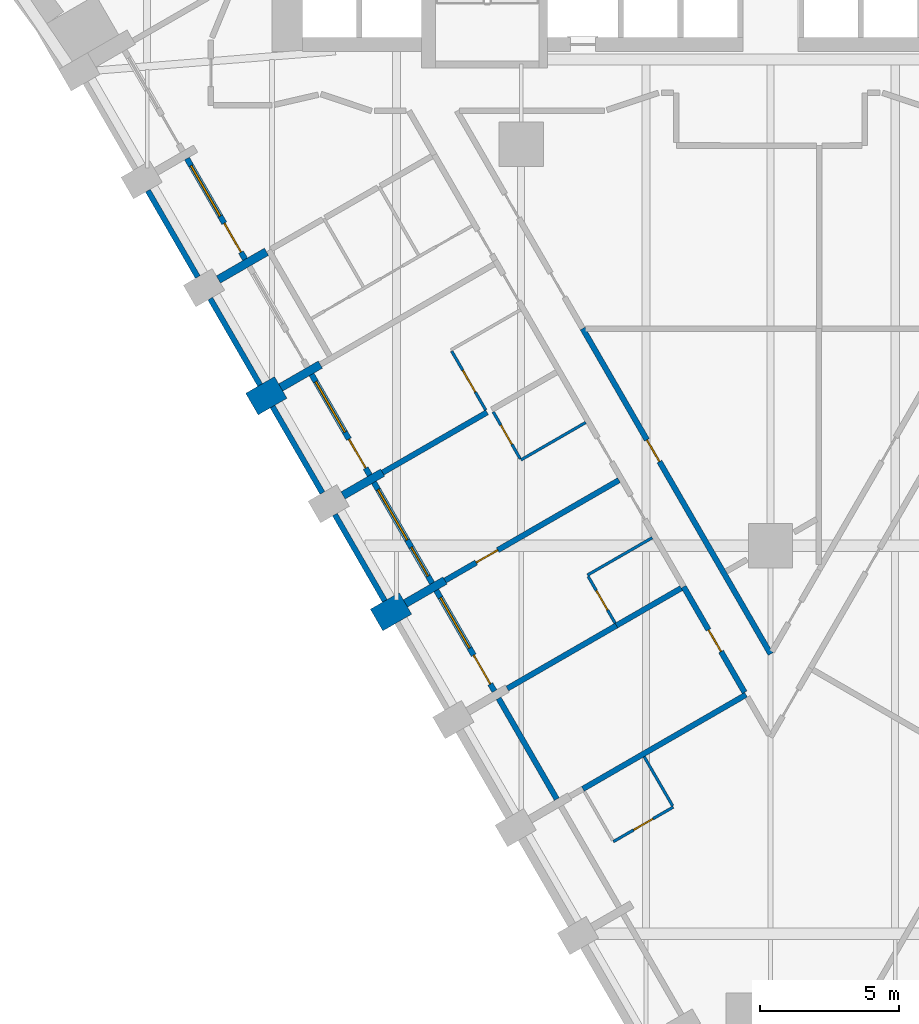
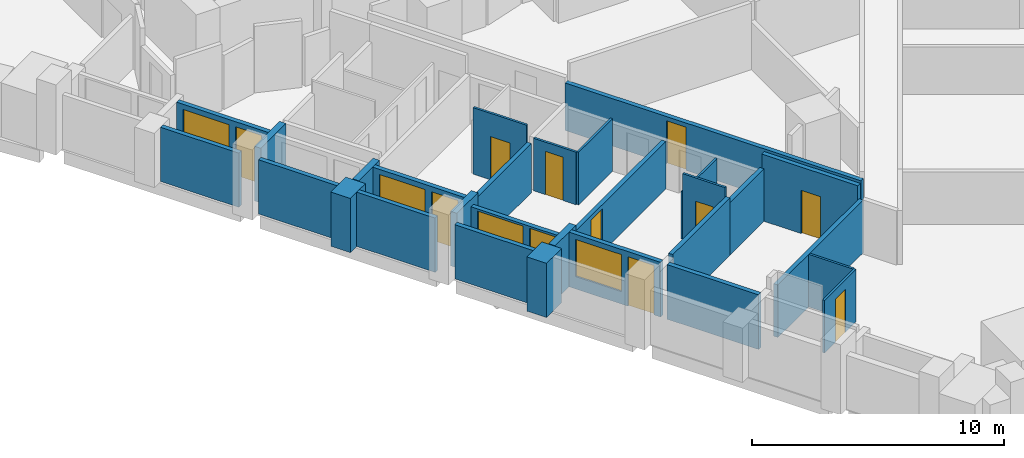
# One storey, part 3 of 11: 29 walls, 11 doors, 4 windows, 15 openings.
"""IFC4 building model written with IfcOpenShell, lengths in metres."""

from ifc_helpers import new_model, si_unit, direction, frame, frame_2d, origin, place, context, subcontext, project, spatial, polyline, rectangle, outline, extrude, material, layer, layer_set, type_object, element, fill, save


model = new_model("IFC4")

# Units and contexts
model_context = context("Model", 3, precision=1e-05, world=origin(), true_north=direction((0.0, 1.0)))
body_context = subcontext(model_context, "Body", "Model", "MODEL_VIEW")
ifc_project = project(units=[si_unit("LENGTHUNIT", "METRE"), si_unit("AREAUNIT", "SQUARE_METRE"), si_unit("VOLUMEUNIT", "CUBIC_METRE"), si_unit("PLANEANGLEUNIT", "RADIAN"), si_unit("MASSUNIT", "GRAM", prefix="KILO")], contexts=[model_context])

# Site, building, storey
site_placement = place(None, origin())
site = spatial("IfcSite", under=ifc_project, at=site_placement, CompositionType="ELEMENT")
building_placement = place(site_placement, origin())
building = spatial("IfcBuilding", under=site, at=building_placement, Name="Calabash Gate Tower", CompositionType="ELEMENT")
storey_placement = place(building_placement, frame((0.0, 0.0, 49.39990234375)))
storey = spatial("IfcBuildingStorey", under=building, at=storey_placement, Name="L07", CompositionType="ELEMENT", Elevation=49.39990234375)

# Walls
ifc_material_1 = material(Name="Terracotta brick masonry, exposed face", Category="masonry")
ifc_layer_1 = layer(ifc_material_1, 1.199951171875)
ifc_layer_set_1 = layer_set([ifc_layer_1], Name="Brick end wall 1200")
wall_type_1 = type_object("IfcWallType", Name="Brick end wall 1200", PredefinedType="SOLIDWALL", material=ifc_layer_set_1)
wall_1_placement = place(storey_placement, frame((-18.7197265625, -6.8818359375, 0.0), z_axis=(0.0, 0.0, 1.0), x_axis=(0.866006032174, 0.500033551112, 0.0)))
element("IfcWall", 1, at=wall_1_placement, inside=storey, type_object=wall_type_1, Name="Brick pier S01 SW0.3", PredefinedType="SOLIDWALL", context=body_context, shape_type="SweptSolid", body=[
    extrude(rectangle(XDim=1.2001953125, YDim=0.89990234375, at=frame_2d((0.60009765625, 0.0))), origin(), (0.0, 0.0, 1.0), 2.628173828125),
])
wall_2_placement = place(storey_placement, frame((-14.2197265625, -14.676025390625, 0.0), z_axis=(0.0, 0.0, 1.0), x_axis=(0.866006032174, 0.500033551112, 0.0)))
element("IfcWall", 2, at=wall_2_placement, inside=storey, type_object=wall_type_1, Name="Brick pier S01 SW0.5", PredefinedType="SOLIDWALL", context=body_context, shape_type="SweptSolid", body=[
    extrude(rectangle(XDim=1.2001953125, YDim=0.89990234375, at=frame_2d((0.60009765625, 0.0))), origin(), (0.0, 0.0, 1.0), 2.630126953125),
])
ifc_material_2 = material(Name="Terracotta brick masonry, exposed face", Category="masonry")
ifc_layer_2 = layer(ifc_material_2, 0.300048828125)
ifc_layer_set_2 = layer_set([ifc_layer_2], Name="Brick loggia cheek wall 300")
wall_type_2 = type_object("IfcWallType", Name="Brick loggia cheek wall 300", PredefinedType="SOLIDWALL", material=ifc_layer_set_2)
wall_3_placement = place(storey_placement, frame((-19.9296875, -2.38427734375, 0.0), z_axis=(0.0, 0.0, 1.0), x_axis=(0.866057602843, 0.499944225447, 0.0)))
element("IfcWall", 3, at=wall_3_placement, inside=storey, type_object=wall_type_2, Name="Loggia cheek S01 SW0.2", PredefinedType="SOLIDWALL", context=body_context, shape_type="SweptSolid", body=[
    extrude(rectangle(XDim=2.001220703125, YDim=0.300048828125, at=frame_2d((1.00048828125, 0.0))), origin(), (0.0, 0.0, 1.0), 2.650146484375),
])
for number, where, z_axis, x_axis, name in (
    (4, (-17.680419921875, -6.28173828125, 0.0), (0.0, 0.0, 1.0), (0.866040211805, 0.499974350878, 0.0), "Loggia cheek S01 SW0.3"),
    (5, (-15.430419921875, -10.178955078125, 0.0), (0.0, 0.0, 1.0), (0.866040211805, 0.499974350878, 0.0), "Loggia cheek S01 SW0.4"),
    (6, (-11.75146484375, -13.2509765625, 0.0), (0.0, 0.0, 1.0), (-0.866040211805, -0.499974350878, 0.0), "Loggia cheek S01 SW0.5"),
):
    element("IfcWall", number, at=place(storey_placement, frame(where, z_axis=z_axis, x_axis=x_axis)), inside=storey, type_object=wall_type_2, Name=name, PredefinedType="SOLIDWALL", context=body_context, shape_type="SweptSolid", body=[
        extrude(rectangle(XDim=1.64990234375, YDim=0.300048828125, at=frame_2d((0.824951171875, 0.0))), origin(), (0.0, 0.0, 1.0), 2.650146484375),
    ])

# Wall, opening, door
ifc_material_3 = material(Name="Gypsum board on steel studs, mineral wool", Category="steel")
ifc_layer_3 = layer(ifc_material_3, 0.10009765625)
ifc_layer_set_3 = layer_set([ifc_layer_3], Name="Partition 100 gypsum board")
wall_type_3 = type_object("IfcWallType", Name="Partition 100 gypsum board", PredefinedType="PARTITIONING", material=ifc_layer_set_3)
wall_4_placement = place(storey_placement, frame((-5.6748046875, -22.67578125, 0.0), z_axis=(0.0, 0.0, 1.0), x_axis=(0.866022959057, 0.500004234368, 0.0)))
wall_4 = element("IfcWall", 7, at=wall_4_placement, inside=storey, type_object=wall_type_3, Name="Partition", PredefinedType="PARTITIONING", context=body_context, shape_type="SweptSolid", body=[
    extrude(rectangle(XDim=2.5, YDim=0.10009765625, at=frame_2d((1.25, 0.0))), origin(), (0.0, 0.0, 1.0), 2.552001953125),
])
opening_1_placement = place(wall_4_placement, frame((0.85009765625, 0.0, 0.0)))
opening_1 = element("IfcOpeningElement", 8, at=opening_1_placement, cuts=wall_4, Name="Opening 06-08-019", PredefinedType="OPENING", context=body_context, shape_type="SweptSolid", body=[
    extrude(rectangle(XDim=0.800048828125, YDim=2.10009765625, at=frame_2d((0.39990234375, 1.050048828125))), frame((0.0, 0.06005859375, 0.0), z_axis=(0.0, -1.0, 0.0), x_axis=(1.0, 0.0, 0.0)), (0.0, 0.0, 1.0), 0.1201171875),
])
ifc_material_4 = material(Name="Painted timber door", Category="wood")
door_type_1 = type_object("IfcDoorType", Name="GD5 En-suite door 800x2100", OperationType="NOTDEFINED", PredefinedType="DOOR", material=ifc_material_4)
door_1_placement = place(opening_1_placement, origin())
door_1 = element("IfcDoor", 9, at=door_1_placement, inside=storey, type_object=door_type_1, Name="En-suite door", OperationType="SINGLE_SWING_RIGHT", OverallHeight=2.10009765625, OverallWidth=0.800048828125, PredefinedType="DOOR", context=body_context, shape_type="SweptSolid", body=[
    extrude(rectangle(XDim=0.800048828125, YDim=2.10009765625, at=frame_2d((0.39990234375, 1.050048828125))), frame((0.0, 0.02490234375, 0.0), z_axis=(0.0, -1.0, 0.0), x_axis=(1.0, 0.0, 0.0)), (0.0, 0.0, 1.0), 0.050048828125),
])
fill(opening_1, door_1)

# Wall
wall_5_placement = place(storey_placement, frame((-4.561279296875, -19.608154296875, 0.0), z_axis=(0.0, 0.0, 1.0), x_axis=(0.500646589026, -0.865651773461, 0.0)))
element("IfcWall", 10, at=wall_5_placement, inside=storey, type_object=wall_type_3, Name="Partition", PredefinedType="PARTITIONING", context=body_context, shape_type="SweptSolid", body=[
    extrude(rectangle(XDim=2.050048828125, YDim=0.10009765625, at=frame_2d((1.02490234375, 0.0))), origin(), (0.0, 0.0, 1.0), 2.552001953125),
])

# Wall, opening, door
wall_6_placement = place(storey_placement, frame((-6.5859375, -13.097900390625, 0.0), z_axis=(0.0, 0.0, 1.0), x_axis=(0.49995005938, -0.866054235095, 0.0)))
wall_6 = element("IfcWall", 11, at=wall_6_placement, inside=storey, type_object=wall_type_3, Name="Partition", PredefinedType="PARTITIONING", context=body_context, shape_type="SweptSolid", body=[
    extrude(rectangle(XDim=1.949951171875, YDim=0.10009765625, at=frame_2d((0.97509765625, 0.0))), origin(), (0.0, 0.0, 1.0), 3.22998046875),
])
opening_2_placement = place(wall_6_placement, frame((0.60009765625, 0.0, 0.0)))
opening_2 = element("IfcOpeningElement", 12, at=opening_2_placement, cuts=wall_6, Name="Opening 06-08-006", PredefinedType="OPENING", context=body_context, shape_type="SweptSolid", body=[
    extrude(rectangle(XDim=0.800048828125, YDim=2.10009765625, at=frame_2d((0.39990234375, 1.050048828125))), frame((0.0, 0.06005859375, 0.0), z_axis=(0.0, -1.0, 0.0), x_axis=(1.0, 0.0, 0.0)), (0.0, 0.0, 1.0), 0.1201171875),
])
door_2_placement = place(opening_2_placement, origin())
door_2 = element("IfcDoor", 13, at=door_2_placement, inside=storey, type_object=door_type_1, Name="En-suite door", OperationType="SINGLE_SWING_RIGHT", OverallHeight=2.10009765625, OverallWidth=0.800048828125, PredefinedType="DOOR", context=body_context, shape_type="SweptSolid", body=[
    extrude(rectangle(XDim=0.800048828125, YDim=2.10009765625, at=frame_2d((0.39990234375, 1.050048828125))), frame((0.0, 0.02490234375, 0.0), z_axis=(0.0, -1.0, 0.0), x_axis=(1.0, 0.0, 0.0)), (0.0, 0.0, 1.0), 0.050048828125),
])
fill(opening_2, door_2)

# Walls
wall_7_placement = place(storey_placement, frame((-6.611083984375, -13.054443359375, 0.0), z_axis=(0.0, 0.0, 1.0), x_axis=(0.866339109022, 0.499456252518, 0.0)))
element("IfcWall", 14, at=wall_7_placement, inside=storey, type_object=wall_type_3, Name="Partition", PredefinedType="PARTITIONING", context=body_context, shape_type="SweptSolid", body=[
    extrude(rectangle(XDim=2.69970703125, YDim=0.10009765625, at=frame_2d((1.349853515625, 0.0))), origin(), (0.0, 0.0, 1.0), 2.302490234375),
])
wall_8_placement = place(storey_placement, frame((-9.010986328125, -8.897705078125, 0.0), z_axis=(0.0, 0.0, 1.0), x_axis=(0.865671764241, 0.500612022024, 0.0)))
element("IfcWall", 15, at=wall_8_placement, inside=storey, type_object=wall_type_3, Name="Partition", PredefinedType="PARTITIONING", context=body_context, shape_type="SweptSolid", body=[
    extrude(rectangle(XDim=2.69970703125, YDim=0.10009765625, at=frame_2d((1.349853515625, 0.0))), origin(), (0.0, 0.0, 1.0), 2.552001953125),
])

# Wall, opening, door
wall_9_placement = place(storey_placement, frame((-10.009521484375, -7.164794921875, 0.0), z_axis=(0.0, 0.0, 1.0), x_axis=(0.499317740681, -0.866418948224, 0.0)))
wall_9 = element("IfcWall", 16, at=wall_9_placement, inside=storey, type_object=wall_type_3, Name="Partition", PredefinedType="PARTITIONING", context=body_context, shape_type="SweptSolid", body=[
    extrude(rectangle(XDim=1.949951171875, YDim=0.10009765625, at=frame_2d((0.97509765625, 0.0))), origin(), (0.0, 0.0, 1.0), 2.552001953125),
])
opening_3_placement = place(wall_9_placement, frame((0.5498046875, 0.0, 0.0)))
opening_3 = element("IfcOpeningElement", 17, at=opening_3_placement, cuts=wall_9, Name="Opening 06-08-004", PredefinedType="OPENING", context=body_context, shape_type="SweptSolid", body=[
    extrude(rectangle(XDim=0.800048828125, YDim=2.10009765625, at=frame_2d((0.39990234375, 1.050048828125))), frame((0.0, 0.06005859375, 0.0), z_axis=(0.0, -1.0, 0.0), x_axis=(1.0, 0.0, 0.0)), (0.0, 0.0, 1.0), 0.1201171875),
])
door_3_placement = place(opening_3_placement, origin())
door_3 = element("IfcDoor", 18, at=door_3_placement, inside=storey, type_object=door_type_1, Name="En-suite door", OperationType="SINGLE_SWING_LEFT", OverallHeight=2.10009765625, OverallWidth=0.800048828125, PredefinedType="DOOR", context=body_context, shape_type="SweptSolid", body=[
    extrude(rectangle(XDim=0.800048828125, YDim=2.10009765625, at=frame_2d((0.39990234375, 1.050048828125))), frame((0.0, 0.02490234375, 0.0), z_axis=(0.0, -1.0, 0.0), x_axis=(1.0, 0.0, 0.0)), (0.0, 0.0, 1.0), 0.050048828125),
])
fill(opening_3, door_3)

wall_10_placement = place(storey_placement, frame((-11.50927734375, -4.970458984375, 0.0), z_axis=(0.0, 0.0, 1.0), x_axis=(0.500018594424, -0.866014668023, 0.0)))
wall_10 = element("IfcWall", 19, at=wall_10_placement, inside=storey, type_object=wall_type_3, Name="Partition", PredefinedType="PARTITIONING", context=body_context, shape_type="SweptSolid", body=[
    extrude(rectangle(XDim=2.4501953125, YDim=0.10009765625, at=frame_2d((1.22509765625, 0.0))), origin(), (0.0, 0.0, 1.0), 3.22998046875),
])
opening_4_placement = place(wall_10_placement, frame((0.800048828125, 0.0, 0.0)))
opening_4 = element("IfcOpeningElement", 20, at=opening_4_placement, cuts=wall_10, Name="Opening 06-08-002", PredefinedType="OPENING", context=body_context, shape_type="SweptSolid", body=[
    extrude(rectangle(XDim=0.89990234375, YDim=2.10009765625, at=frame_2d((0.449951171875, 1.050048828125))), frame((0.0, 0.06005859375, 0.0), z_axis=(0.0, -1.0, 0.0), x_axis=(1.0, 0.0, 0.0)), (0.0, 0.0, 1.0), 0.1201171875),
])
ifc_material_5 = material(Name="Painted timber door", Category="wood")
door_type_2 = type_object("IfcDoorType", Name="GD6 Accessible en-suite door 900x2100", OperationType="NOTDEFINED", PredefinedType="DOOR", material=ifc_material_5)
door_4_placement = place(opening_4_placement, origin())
door_4 = element("IfcDoor", 21, at=door_4_placement, inside=storey, type_object=door_type_2, Name="Accessible en-suite door", OperationType="SINGLE_SWING_LEFT", OverallHeight=2.10009765625, OverallWidth=0.89990234375, PredefinedType="DOOR", context=body_context, shape_type="SweptSolid", body=[
    extrude(rectangle(XDim=0.89990234375, YDim=2.10009765625, at=frame_2d((0.449951171875, 1.050048828125))), frame((0.0, 0.02490234375, 0.0), z_axis=(0.0, -1.0, 0.0), x_axis=(1.0, 0.0, 0.0)), (0.0, 0.0, 1.0), 0.050048828125),
])
fill(opening_4, door_4)

# Wall
ifc_material_6 = material(Name="Gypsum board on steel studs, mineral wool", Category="steel")
ifc_layer_4 = layer(ifc_material_6, 0.199951171875)
ifc_layer_set_4 = layer_set([ifc_layer_4], Name="Partition 200 gypsum board EI 60")
wall_type_4 = type_object("IfcWallType", Name="Partition 200 gypsum board EI 60", PredefinedType="PARTITIONING", material=ifc_layer_set_4)
wall_11_placement = place(storey_placement, frame((-6.774169921875, -20.77197265625, 0.0), z_axis=(0.0, 0.0, 1.0), x_axis=(0.866036107898, 0.499981459473, 0.0)))
element("IfcWall", 22, at=wall_11_placement, inside=storey, type_object=wall_type_4, Name="Partition", PredefinedType="PARTITIONING", context=body_context, shape_type="SweptSolid", body=[
    extrude(rectangle(XDim=6.799560546875, YDim=0.199951171875, at=frame_2d((3.39990234375, 0.0))), origin(), (0.0, 0.0, 1.0), 2.552001953125),
])

# Wall, opening, door
wall_12_placement = place(storey_placement, frame((-3.136962890625, -13.475830078125, 0.0), z_axis=(0.0, 0.0, 1.0), x_axis=(0.499989943423, -0.866031209874, 0.0)))
wall_12 = element("IfcWall", 23, at=wall_12_placement, inside=storey, type_object=wall_type_4, Name="Partition", PredefinedType="PARTITIONING", context=body_context, shape_type="SweptSolid", body=[
    extrude(rectangle(XDim=4.39794921875, YDim=0.199951171875, at=frame_2d((2.198974609375, 0.0))), origin(), (0.0, 0.0, 1.0), 3.22998046875),
])
opening_5_placement = place(wall_12_placement, frame((1.798095703125, 0.0, 0.0)))
opening_5 = element("IfcOpeningElement", 24, at=opening_5_placement, cuts=wall_12, Name="Opening 06-08-008", PredefinedType="OPENING", context=body_context, shape_type="SweptSolid", body=[
    extrude(rectangle(XDim=0.89990234375, YDim=2.10009765625, at=frame_2d((0.449951171875, 1.050048828125))), frame((0.0, 0.10986328125, 0.0), z_axis=(0.0, -1.0, 0.0), x_axis=(1.0, 0.0, 0.0)), (0.0, 0.0, 1.0), 0.219970703125),
])
ifc_material_7 = material(Name="Steel fire door set with fire-resisting glazing", Category="steel")
door_type_3 = type_object("IfcDoorType", Name="SD1 Service room door 900x2100", OperationType="NOTDEFINED", PredefinedType="DOOR", material=ifc_material_7)
door_5_placement = place(opening_5_placement, origin())
door_5 = element("IfcDoor", 25, at=door_5_placement, inside=storey, type_object=door_type_3, Name="Service room door", OperationType="SINGLE_SWING_LEFT", OverallHeight=2.10009765625, OverallWidth=0.89990234375, PredefinedType="DOOR", context=body_context, shape_type="SweptSolid", body=[
    extrude(rectangle(XDim=0.89990234375, YDim=2.10009765625, at=frame_2d((0.449951171875, 1.050048828125))), frame((0.0, 0.02490234375, 0.0), z_axis=(0.0, -1.0, 0.0), x_axis=(1.0, 0.0, 0.0)), (0.0, 0.0, 1.0), 0.050048828125),
])
fill(opening_5, door_5)

# Walls
wall_13_placement = place(storey_placement, frame((-9.501220703125, -17.148193359375, 0.0), z_axis=(0.0, 0.0, 1.0), x_axis=(0.866032838626, 0.499987122256, 0.0)))
element("IfcWall", 26, at=wall_13_placement, inside=storey, type_object=wall_type_4, Name="Partition", PredefinedType="PARTITIONING", context=body_context, shape_type="SweptSolid", body=[
    extrude(rectangle(XDim=4.55126953125, YDim=0.199951171875, at=frame_2d((2.275634765625, 0.0))), origin(), (0.0, 0.0, 1.0), 2.7822265625),
])
wall_14_placement = place(storey_placement, frame((-5.562744140625, -14.874267578125, 0.0), z_axis=(0.0, 0.0, 1.0), x_axis=(0.866384216157, 0.499378003114, 0.0)))
element("IfcWall", 27, at=wall_14_placement, inside=storey, type_object=wall_type_4, Name="Partition", PredefinedType="PARTITIONING", context=body_context, shape_type="SweptSolid", body=[
    extrude(rectangle(XDim=2.7001953125, YDim=0.199951171875, at=frame_2d((1.35009765625, 0.0))), origin(), (0.0, 0.0, 1.0), 2.552001953125),
])

# Wall, opening, door
wall_15_placement = place(storey_placement, frame((-11.751220703125, -13.251220703125, 0.0), z_axis=(0.0, 0.0, 1.0), x_axis=(0.866134002969, 0.499811853502, 0.0)))
wall_15 = element("IfcWall", 28, at=wall_15_placement, inside=storey, type_object=wall_type_4, Name="Partition", PredefinedType="PARTITIONING", context=body_context, shape_type="SweptSolid", body=[
    extrude(rectangle(XDim=7.249755859375, YDim=0.199951171875, at=frame_2d((3.625, 0.0))), origin(), (0.0, 0.0, 1.0), 2.302490234375),
])
opening_6_placement = place(wall_15_placement, frame((1.300048828125, 0.0, 0.0)))
opening_6 = element("IfcOpeningElement", 29, at=opening_6_placement, cuts=wall_15, Name="Opening 06-08-007", PredefinedType="OPENING", context=body_context, shape_type="SweptSolid", body=[
    extrude(rectangle(XDim=0.89990234375, YDim=2.10009765625, at=frame_2d((0.449951171875, 1.050048828125))), frame((0.0, 0.10986328125, 0.0), z_axis=(0.0, -1.0, 0.0), x_axis=(1.0, 0.0, 0.0)), (0.0, 0.0, 1.0), 0.219970703125),
])
ifc_material_8 = material(Name="Steel fire door set with fire-resisting glazing", Category="steel")
door_type_4 = type_object("IfcDoorType", Name="GD4 Connecting door 900x2100", OperationType="NOTDEFINED", PredefinedType="DOOR", material=ifc_material_8)
door_6_placement = place(opening_6_placement, origin())
door_6 = element("IfcDoor", 30, at=door_6_placement, inside=storey, type_object=door_type_4, Name="Connecting door", OperationType="SINGLE_SWING_RIGHT", OverallHeight=2.10009765625, OverallWidth=0.89990234375, PredefinedType="DOOR", context=body_context, shape_type="SweptSolid", body=[
    extrude(rectangle(XDim=0.89990234375, YDim=2.10009765625, at=frame_2d((0.449951171875, 1.050048828125))), frame((0.0, 0.02490234375, 0.0), z_axis=(0.0, -1.0, 0.0), x_axis=(1.0, 0.0, 0.0)), (0.0, 0.0, 1.0), 0.050048828125),
])
fill(opening_6, door_6)

# Wall
wall_16_placement = place(storey_placement, frame((-14.001220703125, -9.35400390625, 0.0), z_axis=(0.0, 0.0, 1.0), x_axis=(0.866024887666, 0.500000893942, 0.0)))
element("IfcWall", 31, at=wall_16_placement, inside=storey, type_object=wall_type_4, Name="Partition", PredefinedType="PARTITIONING", context=body_context, shape_type="SweptSolid", body=[
    extrude(rectangle(XDim=4.3515625, YDim=0.199951171875, at=frame_2d((2.17578125, 0.0))), origin(), (0.0, 0.0, 1.0), 2.38427734375),
])

# Wall, opening, door
wall_17_placement = place(storey_placement, frame((-6.783203125, -4.156005859375, 0.0), z_axis=(0.0, 0.0, 1.0), x_axis=(0.500162761554, -0.865931412962, 0.0)))
wall_17 = element("IfcWall", 32, at=wall_17_placement, inside=storey, type_object=wall_type_4, Name="Partition", PredefinedType="PARTITIONING", context=body_context, shape_type="SweptSolid", body=[
    extrude(rectangle(XDim=13.56640625, YDim=0.199951171875, at=frame_2d((6.783203125, 0.0))), origin(), (0.0, 0.0, 1.0), 2.302490234375),
])
opening_7_placement = place(wall_17_placement, frame((4.642333984375, 0.0, 0.0)))
opening_7 = element("IfcOpeningElement", 33, at=opening_7_placement, cuts=wall_17, Name="Opening 06-08-018", PredefinedType="OPENING", context=body_context, shape_type="SweptSolid", body=[
    extrude(rectangle(XDim=0.89990234375, YDim=2.10009765625, at=frame_2d((0.449951171875, 1.050048828125))), frame((0.0, 0.10986328125, 0.0), z_axis=(0.0, -1.0, 0.0), x_axis=(1.0, 0.0, 0.0)), (0.0, 0.0, 1.0), 0.219970703125),
])
ifc_material_9 = material(Name="Steel fire door set with fire-resisting glazing", Category="steel")
door_type_5 = type_object("IfcDoorType", Name="SD3 Store door 900x2100", OperationType="NOTDEFINED", PredefinedType="DOOR", material=ifc_material_9)
door_7_placement = place(opening_7_placement, origin())
door_7 = element("IfcDoor", 34, at=door_7_placement, inside=storey, type_object=door_type_5, Name="Store door", OperationType="SINGLE_SWING_LEFT", OverallHeight=2.10009765625, OverallWidth=0.89990234375, PredefinedType="DOOR", context=body_context, shape_type="SweptSolid", body=[
    extrude(rectangle(XDim=0.89990234375, YDim=2.10009765625, at=frame_2d((0.449951171875, 1.050048828125))), frame((0.0, 0.02490234375, 0.0), z_axis=(0.0, -1.0, 0.0), x_axis=(1.0, 0.0, 0.0)), (0.0, 0.0, 1.0), 0.050048828125),
])
fill(opening_7, door_7)

# Walls
ifc_material_10 = material(Name="Terracotta brick masonry, perforated", Category="masonry")
ifc_layer_5 = layer(ifc_material_10, 0.199951171875)
ifc_layer_set_5 = layer_set([ifc_layer_5], Name="Terracotta jaali screen A")
wall_type_5 = type_object("IfcWallType", Name="Terracotta jaali screen A", PredefinedType="SOLIDWALL", material=ifc_layer_set_5)
wall_18_placement = place(storey_placement, origin())
element("IfcWall", 35, at=wall_18_placement, inside=storey, type_object=wall_type_5, Name="SCREEN A S01 SW0.2", PredefinedType="SOLIDWALL", context=body_context, shape_type="SweptSolid", body=[
    extrude(outline(polyline([(-22.5615234375, 0.772705078125), (-20.76220703125, -2.34375), (-20.589111328125, -2.24365234375), (-22.388427734375, 0.872802734375), (-22.5615234375, 0.772705078125)])), origin(), (0.0, 0.0, 1.0), 2.630126953125),
])
for number, where, z_axis, x_axis, name in (
    (36, (-20.22509765625, -3.074462890625, 0.0), (0.0, 0.0, 1.0), (0.500012057535, -0.866018442252, 0.0), "SCREEN A S01 SW0.3"),
    (37, (-17.97509765625, -6.971435546875, 0.0), (0.0, 0.0, 1.0), (0.500012057535, -0.866018442252, 0.0), "SCREEN A S01 SW0.4"),
    (38, (-15.72509765625, -10.86865234375, 0.0), (0.0, 0.0, 1.0), (0.500012057535, -0.866018442252, 0.0), "SCREEN A S01 SW0.5"),
):
    element("IfcWall", number, at=place(storey_placement, frame(where, z_axis=z_axis, x_axis=x_axis)), inside=storey, type_object=wall_type_5, Name=name, PredefinedType="SOLIDWALL", context=body_context, shape_type="SweptSolid", body=[
        extrude(rectangle(XDim=3.60009765625, YDim=0.199951171875, at=frame_2d((1.800048828125, 0.0))), origin(), (0.0, 0.0, 1.0), 2.630126953125),
    ])

# Wall, openings, door, window
ifc_material_11 = material(Name="Aluminium framed window wall with insulated spandrel", Category="aluminium")
ifc_layer_6 = layer(ifc_material_11, 0.199951171875)
ifc_layer_set_6 = layer_set([ifc_layer_6], Name="Window wall 200")
wall_type_6 = type_object("IfcWallType", Name="Window wall 200", PredefinedType="ELEMENTEDWALL", material=ifc_layer_set_6)
wall_19_placement = place(storey_placement, frame((-21.066162109375, 1.982421875, 0.0), z_axis=(0.0, 0.0, 1.0), x_axis=(0.500027713859, -0.866009402589, 0.0)))
wall_19 = element("IfcWall", 39, at=wall_19_placement, inside=storey, type_object=wall_type_6, Name="Window wall S01 SW0.2", PredefinedType="ELEMENTEDWALL", context=body_context, shape_type="SweptSolid", body=[
    extrude(rectangle(XDim=4.199951171875, YDim=0.199951171875, at=frame_2d((2.10009765625, 0.0))), origin(), (0.0, 0.0, 1.0), 2.650146484375),
])
opening_8_placement = place(wall_19_placement, frame((0.300048828125, 0.0, 0.60009765625)))
opening_8 = element("IfcOpeningElement", 40, at=opening_8_placement, cuts=wall_19, Name="Opening HW1", PredefinedType="OPENING", context=body_context, shape_type="SweptSolid", body=[
    extrude(rectangle(XDim=2.10009765625, YDim=1.800048828125, at=frame_2d((1.050048828125, 0.89990234375))), frame((0.0, 0.10986328125, 0.0), z_axis=(0.0, -1.0, 0.0), x_axis=(1.0, 0.0, 0.0)), (0.0, 0.0, 1.0), 0.219970703125),
])
opening_9_placement = place(wall_19_placement, frame((2.699951171875, 0.0, 0.0)))
opening_9 = element("IfcOpeningElement", 41, at=opening_9_placement, cuts=wall_19, Name="Opening H1-026", PredefinedType="OPENING", context=body_context, shape_type="SweptSolid", body=[
    extrude(rectangle(XDim=1.199951171875, YDim=2.39990234375, at=frame_2d((0.60009765625, 1.199951171875))), frame((0.0, 0.10986328125, 0.0), z_axis=(0.0, -1.0, 0.0), x_axis=(1.0, 0.0, 0.0)), (0.0, 0.0, 1.0), 0.219970703125),
])
ifc_material_12 = material(Name="Anodised aluminium frame, bronze finish, impact-rated laminated clear glazing", Category="aluminium")
door_type_6 = type_object("IfcDoorType", Name="Loggia door DH1 1200x2400", OperationType="SLIDING_TO_LEFT", PredefinedType="DOOR", material=ifc_material_12)
door_8_placement = place(opening_9_placement, origin())
door_8 = element("IfcDoor", 42, at=door_8_placement, inside=storey, type_object=door_type_6, Name="Loggia door S01 SW0.2", OperationType="SINGLE_SWING_LEFT", OverallHeight=2.39990234375, OverallWidth=1.199951171875, PredefinedType="DOOR", context=body_context, shape_type="SweptSolid", body=[
    extrude(rectangle(XDim=1.199951171875, YDim=2.39990234375, at=frame_2d((0.60009765625, 1.199951171875))), frame((0.0, 0.02490234375, 0.0), z_axis=(0.0, -1.0, 0.0), x_axis=(1.0, 0.0, 0.0)), (0.0, 0.0, 1.0), 0.050048828125),
])
fill(opening_9, door_8)
ifc_material_13 = material(Name="Anodised aluminium frame, bronze finish, impact-rated laminated clear glazing", Category="aluminium")
window_type_1 = type_object("IfcWindowType", Name="Window HW1 2100x1800", PartitioningType="DOUBLE_PANEL_VERTICAL", PredefinedType="WINDOW", material=ifc_material_13)
window_1_placement = place(opening_8_placement, origin())
window_1 = element("IfcWindow", 43, at=window_1_placement, inside=storey, type_object=window_type_1, Name="Window HW1 S01 SW0.2", OverallHeight=1.800048828125, OverallWidth=2.10009765625, PartitioningType="SINGLE_PANEL", PredefinedType="WINDOW", context=body_context, shape_type="SweptSolid", body=[
    extrude(rectangle(XDim=2.10009765625, YDim=1.800048828125, at=frame_2d((1.050048828125, 0.89990234375))), frame((0.0, 0.030029296875, 0.0), z_axis=(0.0, -1.0, 0.0), x_axis=(1.0, 0.0, 0.0)), (0.0, 0.0, 1.0), 0.06005859375),
])
fill(opening_8, window_1)

wall_20_placement = place(storey_placement, frame((-16.566162109375, -5.811767578125, 0.0), z_axis=(0.0, 0.0, 1.0), x_axis=(0.500027713859, -0.866009402589, 0.0)))
wall_20 = element("IfcWall", 44, at=wall_20_placement, inside=storey, type_object=wall_type_6, Name="Window wall S01 SW0.4", PredefinedType="ELEMENTEDWALL", context=body_context, shape_type="SweptSolid", body=[
    extrude(rectangle(XDim=4.199951171875, YDim=0.199951171875, at=frame_2d((2.10009765625, 0.0))), origin(), (0.0, 0.0, 1.0), 2.650146484375),
])
opening_10_placement = place(wall_20_placement, frame((0.300048828125, 0.0, 0.60009765625)))
opening_10 = element("IfcOpeningElement", 45, at=opening_10_placement, cuts=wall_20, Name="Opening HW1", PredefinedType="OPENING", context=body_context, shape_type="SweptSolid", body=[
    extrude(rectangle(XDim=2.10009765625, YDim=1.800048828125, at=frame_2d((1.050048828125, 0.89990234375))), frame((0.0, 0.10986328125, 0.0), z_axis=(0.0, -1.0, 0.0), x_axis=(1.0, 0.0, 0.0)), (0.0, 0.0, 1.0), 0.219970703125),
])
opening_11_placement = place(wall_20_placement, frame((2.699951171875, 0.0, 0.0)))
opening_11 = element("IfcOpeningElement", 46, at=opening_11_placement, cuts=wall_20, Name="Opening H1-028", PredefinedType="OPENING", context=body_context, shape_type="SweptSolid", body=[
    extrude(rectangle(XDim=1.199951171875, YDim=2.39990234375, at=frame_2d((0.60009765625, 1.199951171875))), frame((0.0, 0.10986328125, 0.0), z_axis=(0.0, -1.0, 0.0), x_axis=(1.0, 0.0, 0.0)), (0.0, 0.0, 1.0), 0.219970703125),
])
door_9_placement = place(opening_11_placement, origin())
door_9 = element("IfcDoor", 47, at=door_9_placement, inside=storey, type_object=door_type_6, Name="Loggia door S01 SW0.4", OperationType="SINGLE_SWING_LEFT", OverallHeight=2.39990234375, OverallWidth=1.199951171875, PredefinedType="DOOR", context=body_context, shape_type="SweptSolid", body=[
    extrude(rectangle(XDim=1.199951171875, YDim=2.39990234375, at=frame_2d((0.60009765625, 1.199951171875))), frame((0.0, 0.02490234375, 0.0), z_axis=(0.0, -1.0, 0.0), x_axis=(1.0, 0.0, 0.0)), (0.0, 0.0, 1.0), 0.050048828125),
])
fill(opening_11, door_9)
window_2_placement = place(opening_10_placement, origin())
window_2 = element("IfcWindow", 48, at=window_2_placement, inside=storey, type_object=window_type_1, Name="Window HW1 S01 SW0.4", OverallHeight=1.800048828125, OverallWidth=2.10009765625, PartitioningType="SINGLE_PANEL", PredefinedType="WINDOW", context=body_context, shape_type="SweptSolid", body=[
    extrude(rectangle(XDim=2.10009765625, YDim=1.800048828125, at=frame_2d((1.050048828125, 0.89990234375))), frame((0.0, 0.030029296875, 0.0), z_axis=(0.0, -1.0, 0.0), x_axis=(1.0, 0.0, 0.0)), (0.0, 0.0, 1.0), 0.06005859375),
])
fill(opening_10, window_2)

wall_21_placement = place(storey_placement, frame((-14.316162109375, -9.708740234375, 0.0), z_axis=(0.0, 0.0, 1.0), x_axis=(0.500002543286, -0.866023935413, 0.0)))
wall_21 = element("IfcWall", 49, at=wall_21_placement, inside=storey, type_object=wall_type_6, Name="Window wall S01 SW0.5", PredefinedType="ELEMENTEDWALL", context=body_context, shape_type="SweptSolid", body=[
    extrude(rectangle(XDim=4.2001953125, YDim=0.199951171875, at=frame_2d((2.10009765625, 0.0))), origin(), (0.0, 0.0, 1.0), 2.302490234375),
])
opening_12_placement = place(wall_21_placement, frame((0.300048828125, 0.0, 0.60009765625)))
opening_12 = element("IfcOpeningElement", 50, at=opening_12_placement, cuts=wall_21, Name="Opening HW1L-1600", PredefinedType="OPENING", context=body_context, shape_type="SweptSolid", body=[
    extrude(rectangle(XDim=2.10009765625, YDim=1.60009765625, at=frame_2d((1.050048828125, 0.800048828125))), frame((0.0, 0.10986328125, 0.0), z_axis=(0.0, -1.0, 0.0), x_axis=(1.0, 0.0, 0.0)), (0.0, 0.0, 1.0), 0.219970703125),
])
opening_13_placement = place(wall_21_placement, frame((2.699951171875, 0.0, 0.0)))
opening_13 = element("IfcOpeningElement", 51, at=opening_13_placement, cuts=wall_21, Name="Opening H1-029", PredefinedType="OPENING", context=body_context, shape_type="SweptSolid", body=[
    extrude(rectangle(XDim=1.199951171875, YDim=2.199951171875, at=frame_2d((0.60009765625, 1.10009765625))), frame((0.0, 0.10986328125, 0.0), z_axis=(0.0, -1.0, 0.0), x_axis=(1.0, 0.0, 0.0)), (0.0, 0.0, 1.0), 0.219970703125),
])
ifc_material_14 = material(Name="Anodised aluminium frame, bronze finish, impact-rated laminated clear glazing", Category="aluminium")
door_type_7 = type_object("IfcDoorType", Name="Loggia door DH1L-2200 1200x2200", OperationType="SLIDING_TO_LEFT", PredefinedType="DOOR", material=ifc_material_14)
door_10_placement = place(opening_13_placement, origin())
door_10 = element("IfcDoor", 52, at=door_10_placement, inside=storey, type_object=door_type_7, Name="Loggia door S01 SW0.5", OperationType="SINGLE_SWING_LEFT", OverallHeight=2.199951171875, OverallWidth=1.199951171875, PredefinedType="DOOR", context=body_context, shape_type="SweptSolid", body=[
    extrude(rectangle(XDim=1.199951171875, YDim=2.199951171875, at=frame_2d((0.60009765625, 1.10009765625))), frame((0.0, 0.02490234375, 0.0), z_axis=(0.0, -1.0, 0.0), x_axis=(1.0, 0.0, 0.0)), (0.0, 0.0, 1.0), 0.050048828125),
])
fill(opening_13, door_10)
ifc_material_15 = material(Name="Anodised aluminium frame, bronze finish, impact-rated laminated clear glazing", Category="aluminium")
window_type_2 = type_object("IfcWindowType", Name="Window HW1L 2100x1600", PartitioningType="DOUBLE_PANEL_VERTICAL", PredefinedType="WINDOW", material=ifc_material_15)
window_3_placement = place(opening_12_placement, origin())
window_3 = element("IfcWindow", 53, at=window_3_placement, inside=storey, type_object=window_type_2, Name="Window HW1 S01 SW0.5", OverallHeight=1.60009765625, OverallWidth=2.10009765625, PartitioningType="SINGLE_PANEL", PredefinedType="WINDOW", context=body_context, shape_type="SweptSolid", body=[
    extrude(rectangle(XDim=2.10009765625, YDim=1.60009765625, at=frame_2d((1.050048828125, 0.800048828125))), frame((0.0, 0.030029296875, 0.0), z_axis=(0.0, -1.0, 0.0), x_axis=(1.0, 0.0, 0.0)), (0.0, 0.0, 1.0), 0.06005859375),
])
fill(opening_12, window_3)

wall_22_placement = place(storey_placement, frame((-12.066162109375, -13.60595703125, 0.0), z_axis=(0.0, 0.0, 1.0), x_axis=(0.500027713859, -0.866009402589, 0.0)))
wall_22 = element("IfcWall", 54, at=wall_22_placement, inside=storey, type_object=wall_type_6, Name="Window wall S01 SW0.6", PredefinedType="ELEMENTEDWALL", context=body_context, shape_type="SweptSolid", body=[
    extrude(rectangle(XDim=4.199951171875, YDim=0.199951171875, at=frame_2d((2.10009765625, 0.0))), origin(), (0.0, 0.0, 1.0), 2.650146484375),
])
opening_14_placement = place(wall_22_placement, frame((0.300048828125, 0.0, 0.60009765625)))
opening_14 = element("IfcOpeningElement", 55, at=opening_14_placement, cuts=wall_22, Name="Opening HW1", PredefinedType="OPENING", context=body_context, shape_type="SweptSolid", body=[
    extrude(rectangle(XDim=2.10009765625, YDim=1.800048828125, at=frame_2d((1.050048828125, 0.89990234375))), frame((0.0, 0.10986328125, 0.0), z_axis=(0.0, -1.0, 0.0), x_axis=(1.0, 0.0, 0.0)), (0.0, 0.0, 1.0), 0.219970703125),
])
opening_15_placement = place(wall_22_placement, frame((2.699951171875, 0.0, 0.0)))
opening_15 = element("IfcOpeningElement", 56, at=opening_15_placement, cuts=wall_22, Name="Opening H1-030", PredefinedType="OPENING", context=body_context, shape_type="SweptSolid", body=[
    extrude(rectangle(XDim=1.199951171875, YDim=2.39990234375, at=frame_2d((0.60009765625, 1.199951171875))), frame((0.0, 0.10986328125, 0.0), z_axis=(0.0, -1.0, 0.0), x_axis=(1.0, 0.0, 0.0)), (0.0, 0.0, 1.0), 0.219970703125),
])
door_11_placement = place(opening_15_placement, origin())
door_11 = element("IfcDoor", 57, at=door_11_placement, inside=storey, type_object=door_type_6, Name="Loggia door S01 SW0.6", OperationType="SINGLE_SWING_LEFT", OverallHeight=2.39990234375, OverallWidth=1.199951171875, PredefinedType="DOOR", context=body_context, shape_type="SweptSolid", body=[
    extrude(rectangle(XDim=1.199951171875, YDim=2.39990234375, at=frame_2d((0.60009765625, 1.199951171875))), frame((0.0, 0.02490234375, 0.0), z_axis=(0.0, -1.0, 0.0), x_axis=(1.0, 0.0, 0.0)), (0.0, 0.0, 1.0), 0.050048828125),
])
fill(opening_15, door_11)
window_4_placement = place(opening_14_placement, origin())
window_4 = element("IfcWindow", 58, at=window_4_placement, inside=storey, type_object=window_type_1, Name="Window HW1 S01 SW0.6", OverallHeight=1.800048828125, OverallWidth=2.10009765625, PartitioningType="SINGLE_PANEL", PredefinedType="WINDOW", context=body_context, shape_type="SweptSolid", body=[
    extrude(rectangle(XDim=2.10009765625, YDim=1.800048828125, at=frame_2d((1.050048828125, 0.89990234375))), frame((0.0, 0.030029296875, 0.0), z_axis=(0.0, -1.0, 0.0), x_axis=(1.0, 0.0, 0.0)), (0.0, 0.0, 1.0), 0.06005859375),
])
fill(opening_14, window_4)

# Wall
wall_23_placement = place(storey_placement, frame((-9.816162109375, -17.5029296875, 0.0), z_axis=(0.0, 0.0, 1.0), x_axis=(0.500002543286, -0.866023935413, 0.0)))
element("IfcWall", 59, at=wall_23_placement, inside=storey, type_object=wall_type_6, Name="Window wall S01 SW0.7", PredefinedType="ELEMENTEDWALL", context=body_context, shape_type="SweptSolid", body=[
    extrude(rectangle(XDim=4.2001953125, YDim=0.199951171875, at=frame_2d((2.10009765625, 0.0))), origin(), (0.0, 0.0, 1.0), 2.650146484375),
])

save(model, "model.ifc")
